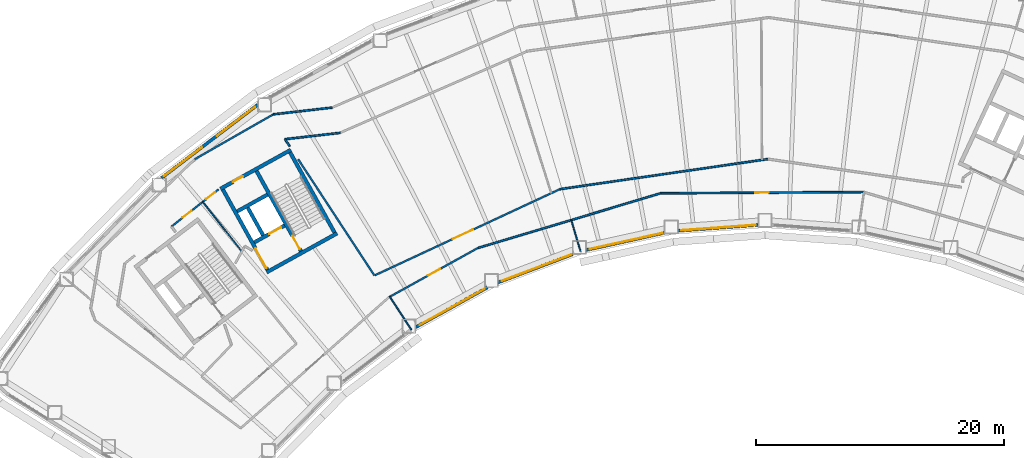
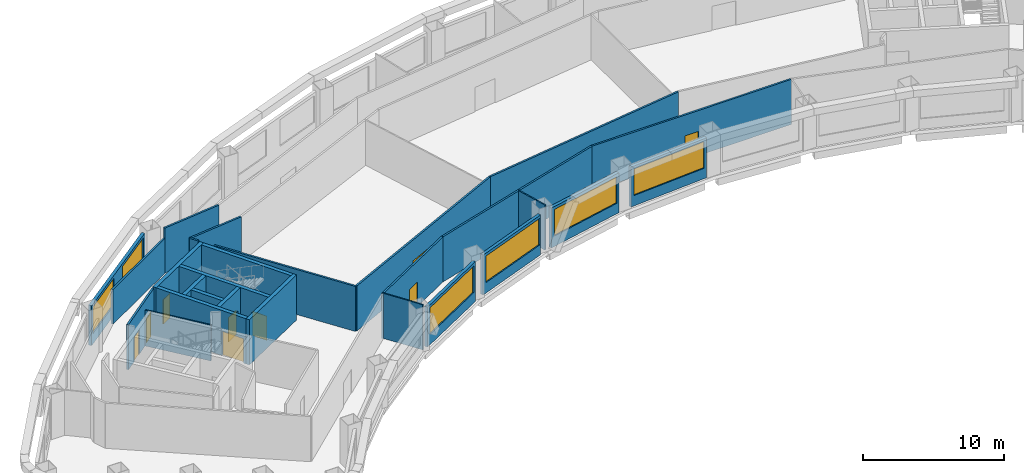
# One storey, part 4 of 12: 27 walls, 9 doors, 6 windows, 15 openings.
"""IFC4 building model written with IfcOpenShell, lengths in metres."""

from ifc_helpers import new_model, si_unit, direction, frame, frame_2d, origin, place, context, subcontext, project, spatial, rectangle, extrude, material, layer, layer_set, type_object, element, fill, save


model = new_model("IFC4")

# Units and contexts
model_context = context("Model", 3, precision=1e-05, world=origin(), true_north=direction((0.0, 1.0)))
body_context = subcontext(model_context, "Body", "Model", "MODEL_VIEW")
ifc_project = project(units=[si_unit("LENGTHUNIT", "METRE"), si_unit("AREAUNIT", "SQUARE_METRE"), si_unit("VOLUMEUNIT", "CUBIC_METRE"), si_unit("PLANEANGLEUNIT", "RADIAN"), si_unit("MASSUNIT", "GRAM", prefix="KILO")], contexts=[model_context])

# Site, building, storey
site_placement = place(None, origin())
site = spatial("IfcSite", under=ifc_project, at=site_placement, CompositionType="ELEMENT")
building_placement = place(site_placement, origin())
building = spatial("IfcBuilding", under=site, at=building_placement, Name="Tuul Gate Civic Tower", CompositionType="ELEMENT")
storey_placement = place(building_placement, frame((0.0, 0.0, 103.5)))
storey = spatial("IfcBuildingStorey", under=building, at=storey_placement, Name="Level 23", CompositionType="ELEMENT", Elevation=103.5)

# Wall
ifc_material_1 = material(Name="Concrete C50/60", Category="concrete")
ifc_layer_1 = layer(ifc_material_1, 0.300048828125)
ifc_layer_set_1 = layer_set([ifc_layer_1], Name="Concrete C50/60")
wall_type_1 = type_object("IfcWallType", Name="Core wall C50/60", PredefinedType="SHEAR", material=ifc_layer_set_1)
wall_1_placement = place(storey_placement, frame((-24.711669921875, -8.7158203125, 0.0), z_axis=(0.0, 0.0, 1.0), x_axis=(-0.874629909008, -0.484791215132, 0.0)))
element("IfcWall", 1, at=wall_1_placement, inside=storey, type_object=wall_type_1, Name="Core wall", PredefinedType="SHEAR", context=body_context, shape_type="SweptSolid", body=[
    extrude(rectangle(XDim=6.5, YDim=0.300048828125, at=frame_2d((3.25, 0.0))), origin(), (0.0, 0.0, 1.0), 3.89990234375),
])

# Wall, opening, door
wall_2_placement = place(storey_placement, frame((-28.94580078125, -8.090087890625, 0.0), z_axis=(0.0, 0.0, 1.0), x_axis=(-0.874629840737, -0.484791338301, 0.0)))
wall_2 = element("IfcWall", 2, at=wall_2_placement, inside=storey, type_object=wall_type_1, Name="Core wall", PredefinedType="SHEAR", context=body_context, shape_type="SweptSolid", body=[
    extrude(rectangle(XDim=2.800048828125, YDim=0.300048828125, at=frame_2d((1.39990234375, 0.0))), origin(), (0.0, 0.0, 1.0), 3.89990234375),
])
opening_1_placement = place(wall_2_placement, frame((0.324951171875, 0.0, 0.0)))
opening_1 = element("IfcOpeningElement", 3, at=opening_1_placement, cuts=wall_2, Name="Opening LD-FF-1", PredefinedType="OPENING", context=body_context, shape_type="SweptSolid", body=[
    extrude(rectangle(XDim=1.10009765625, YDim=2.10009765625, at=frame_2d((0.550048828125, 1.050048828125))), frame((0.0, 0.16015625, 0.0), z_axis=(0.0, -1.0, 0.0), x_axis=(1.0, 0.0, 0.0)), (0.0, 0.0, 1.0), 0.320068359375),
])
ifc_material_2 = material(Name="Stainless steel", Category="steel")
door_type_1 = type_object("IfcDoorType", Name="Landing door", OperationType="DOUBLE_DOOR_SLIDING", PredefinedType="DOOR", material=ifc_material_2)
door_1_placement = place(opening_1_placement, origin())
door_1 = element("IfcDoor", 4, at=door_1_placement, inside=storey, type_object=door_type_1, Name="Fire-fighting lift FF-1 landing door", OperationType="DOUBLE_DOOR_SLIDING", OverallHeight=2.10009765625, OverallWidth=1.10009765625, PredefinedType="DOOR", context=body_context, shape_type="SweptSolid", body=[
    extrude(rectangle(XDim=1.10009765625, YDim=2.10009765625, at=frame_2d((0.550048828125, 1.050048828125))), frame((0.0, 0.02490234375, 0.0), z_axis=(0.0, -1.0, 0.0), x_axis=(1.0, 0.0, 0.0)), (0.0, 0.0, 1.0), 0.050048828125),
])
fill(opening_1, door_1)

# Wall
wall_3_placement = place(storey_placement, frame((-30.327392578125, -5.59716796875, 0.0), z_axis=(0.0, 0.0, 1.0), x_axis=(-0.874629840737, -0.484791338301, 0.0)))
element("IfcWall", 5, at=wall_3_placement, inside=storey, type_object=wall_type_1, Name="Core wall", PredefinedType="SHEAR", context=body_context, shape_type="SweptSolid", body=[
    extrude(rectangle(XDim=2.800048828125, YDim=0.300048828125, at=frame_2d((1.39990234375, 0.0))), origin(), (0.0, 0.0, 1.0), 3.89990234375),
])

# Wall, opening, door
wall_4_placement = place(storey_placement, frame((-28.4443359375, -1.98095703125, 0.0), z_axis=(0.0, 0.0, 1.0), x_axis=(-0.874629909008, -0.484791215132, 0.0)))
wall_4 = element("IfcWall", 6, at=wall_4_placement, inside=storey, type_object=wall_type_1, Name="Core wall", PredefinedType="SHEAR", context=body_context, shape_type="SweptSolid", body=[
    extrude(rectangle(XDim=6.5, YDim=0.300048828125, at=frame_2d((3.25, 0.0))), origin(), (0.0, 0.0, 1.0), 3.89990234375),
])
opening_2_placement = place(wall_4_placement, frame((4.425048828125, 0.0, 0.0)))
opening_2 = element("IfcOpeningElement", 7, at=opening_2_placement, cuts=wall_4, Name="Opening G-D26", PredefinedType="OPENING", context=body_context, shape_type="SweptSolid", body=[
    extrude(rectangle(XDim=0.89990234375, YDim=2.10009765625, at=frame_2d((0.449951171875, 1.050048828125))), frame((0.0, 0.16015625, 0.0), z_axis=(0.0, -1.0, 0.0), x_axis=(1.0, 0.0, 0.0)), (0.0, 0.0, 1.0), 0.320068359375),
])
ifc_material_3 = material(Name="Timber door leaf", Category="wood")
door_type_2 = type_object("IfcDoorType", Name="Door D09", OperationType="NOTDEFINED", PredefinedType="DOOR", material=ifc_material_3)
door_2_placement = place(opening_2_placement, origin())
door_2 = element("IfcDoor", 8, at=door_2_placement, inside=storey, type_object=door_type_2, Name="Door G-D26", OperationType="SINGLE_SWING_LEFT", OverallHeight=2.10009765625, OverallWidth=0.89990234375, PredefinedType="DOOR", context=body_context, shape_type="SweptSolid", body=[
    extrude(rectangle(XDim=0.89990234375, YDim=2.10009765625, at=frame_2d((0.449951171875, 1.050048828125))), frame((0.0, 0.02490234375, 0.0), z_axis=(0.0, -1.0, 0.0), x_axis=(1.0, 0.0, 0.0)), (0.0, 0.0, 1.0), 0.050048828125),
])
fill(opening_2, door_2)

# Wall
wall_5_placement = place(storey_placement, frame((-24.91552734375, -8.6572265625, 0.0), z_axis=(0.0, 0.0, 1.0), x_axis=(-0.484777133038, 0.874637714304, 0.0)))
element("IfcWall", 9, at=wall_5_placement, inside=storey, type_object=wall_type_1, Name="Core wall", PredefinedType="SHEAR", context=body_context, shape_type="SweptSolid", body=[
    extrude(rectangle(XDim=7.400146484375, YDim=0.300048828125, at=frame_2d((3.7001953125, 0.0))), origin(), (0.0, 0.0, 1.0), 3.89990234375),
])

# Wall, opening, door
wall_6_placement = place(storey_placement, frame((-27.626953125, -10.16015625, 0.0), z_axis=(0.0, 0.0, 1.0), x_axis=(-0.484751894226, 0.874651702704, 0.0)))
wall_6 = element("IfcWall", 10, at=wall_6_placement, inside=storey, type_object=wall_type_1, Name="Core wall", PredefinedType="SHEAR", context=body_context, shape_type="SweptSolid", body=[
    extrude(rectangle(XDim=7.39990234375, YDim=0.300048828125, at=frame_2d((3.699951171875, 0.0))), origin(), (0.0, 0.0, 1.0), 3.89990234375),
])
opening_3_placement = place(wall_6_placement, frame((0.199951171875, 0.0, 0.0)))
opening_3 = element("IfcOpeningElement", 11, at=opening_3_placement, cuts=wall_6, Name="Opening SD-ST-2", PredefinedType="OPENING", context=body_context, shape_type="SweptSolid", body=[
    extrude(rectangle(XDim=1.199951171875, YDim=2.10009765625, at=frame_2d((0.60009765625, 1.050048828125))), frame((0.0, 0.16015625, 0.0), z_axis=(0.0, -1.0, 0.0), x_axis=(1.0, 0.0, 0.0)), (0.0, 0.0, 1.0), 0.320068359375),
])
ifc_material_4 = material(Name="Steel", Category="steel")
door_type_3 = type_object("IfcDoorType", Name="Stair door", OperationType="NOTDEFINED", PredefinedType="DOOR", material=ifc_material_4)
door_3_placement = place(opening_3_placement, origin())
door_3 = element("IfcDoor", 12, at=door_3_placement, inside=storey, type_object=door_type_3, Name="Stair door ST-2", OperationType="SINGLE_SWING_LEFT", OverallHeight=2.10009765625, OverallWidth=1.199951171875, PredefinedType="DOOR", context=body_context, shape_type="SweptSolid", body=[
    extrude(rectangle(XDim=1.199951171875, YDim=2.10009765625, at=frame_2d((0.60009765625, 1.050048828125))), frame((0.0, 0.02490234375, 0.0), z_axis=(0.0, -1.0, 0.0), x_axis=(1.0, 0.0, 0.0)), (0.0, 0.0, 1.0), 0.050048828125),
])
fill(opening_3, door_3)

# Wall
wall_7_placement = place(storey_placement, frame((-30.680419921875, -8.8798828125, 0.0), z_axis=(0.0, 0.0, 1.0), x_axis=(-0.484724115216, 0.874667097888, 0.0)))
element("IfcWall", 13, at=wall_7_placement, inside=storey, type_object=wall_type_1, Name="Core wall", PredefinedType="SHEAR", context=body_context, shape_type="SweptSolid", body=[
    extrude(rectangle(XDim=2.550048828125, YDim=0.300048828125, at=frame_2d((1.27490234375, 0.0))), origin(), (0.0, 0.0, 1.0), 3.89990234375),
])

# Wall, opening, door
wall_8_placement = place(storey_placement, frame((-30.33837890625, -11.6630859375, 0.0), z_axis=(0.0, 0.0, 1.0), x_axis=(-0.484751894226, 0.874651702704, 0.0)))
wall_8 = element("IfcWall", 14, at=wall_8_placement, inside=storey, type_object=wall_type_1, Name="Core wall", PredefinedType="SHEAR", context=body_context, shape_type="SweptSolid", body=[
    extrude(rectangle(XDim=7.39990234375, YDim=0.300048828125, at=frame_2d((3.699951171875, 0.0))), origin(), (0.0, 0.0, 1.0), 3.89990234375),
])
opening_4_placement = place(wall_8_placement, frame((0.175048828125, 0.0, 0.0)))
opening_4 = element("IfcOpeningElement", 15, at=opening_4_placement, cuts=wall_8, Name="Opening LB-W2-FLOBBY-1", PredefinedType="OPENING", context=body_context, shape_type="SweptSolid", body=[
    extrude(rectangle(XDim=1.800048828125, YDim=2.10009765625, at=frame_2d((0.89990234375, 1.050048828125))), frame((0.0, 0.16015625, 0.0), z_axis=(0.0, -1.0, 0.0), x_axis=(1.0, 0.0, 0.0)), (0.0, 0.0, 1.0), 0.320068359375),
])
ifc_material_5 = material(Name="Steel", Category="steel")
door_type_4 = type_object("IfcDoorType", Name="Lobby door", OperationType="DOUBLE_DOOR_SINGLE_SWING", PredefinedType="DOOR", material=ifc_material_5)
door_4_placement = place(opening_4_placement, origin())
door_4 = element("IfcDoor", 16, at=door_4_placement, inside=storey, type_object=door_type_4, Name="Lobby door W2-FLOBBY", OperationType="DOUBLE_DOOR_SINGLE_SWING", OverallHeight=2.10009765625, OverallWidth=1.800048828125, PredefinedType="DOOR", context=body_context, shape_type="SweptSolid", body=[
    extrude(rectangle(XDim=1.800048828125, YDim=2.10009765625, at=frame_2d((0.89990234375, 1.050048828125))), frame((0.0, 0.02490234375, 0.0), z_axis=(0.0, -1.0, 0.0), x_axis=(1.0, 0.0, 0.0)), (0.0, 0.0, 1.0), 0.050048828125),
])
fill(opening_4, door_4)

# Wall
ifc_material_6 = material(Name="Gypsum board partition")
ifc_layer_2 = layer(ifc_material_6, 0.14990234375)
ifc_layer_set_2 = layer_set([ifc_layer_2], Name="Gypsum board partition")
wall_type_2 = type_object("IfcWallType", Name="Corridor wall P150", PredefinedType="PARTITIONING", material=ifc_layer_set_2)
wall_9_placement = place(storey_placement, frame((-29.85791015625, 0.8837890625, 0.0), z_axis=(0.0, 0.0, 1.0), x_axis=(0.993420797648, 0.11452125916, 0.0)))
element("IfcWall", 17, at=wall_9_placement, inside=storey, type_object=wall_type_2, Name="p019", PredefinedType="PARTITIONING", context=body_context, shape_type="SweptSolid", body=[
    extrude(rectangle(XDim=4.775390625, YDim=0.14990234375, at=frame_2d((2.3876953125, 0.0))), origin(), (0.0, 0.0, 1.0), 3.89990234375),
])

# Wall, opening, door
wall_10_placement = place(storey_placement, frame((-20.523681640625, -13.8740234375, 0.0), z_axis=(0.0, 0.0, 1.0), x_axis=(0.87496163659, 0.48419224952, 0.0)))
wall_10 = element("IfcWall", 18, at=wall_10_placement, inside=storey, type_object=wall_type_2, Name="p025", PredefinedType="PARTITIONING", context=body_context, shape_type="SweptSolid", body=[
    extrude(rectangle(XDim=8.205810546875, YDim=0.14990234375, at=frame_2d((4.10302734375, 0.0))), origin(), (0.0, 0.0, 1.0), 3.89990234375),
])
opening_5_placement = place(wall_10_placement, frame((3.59326171875, 0.0, 0.0)))
opening_5 = element("IfcOpeningElement", 19, at=opening_5_placement, cuts=wall_10, Name="Opening G-D11", PredefinedType="OPENING", context=body_context, shape_type="SweptSolid", body=[
    extrude(rectangle(XDim=1.10009765625, YDim=2.10009765625, at=frame_2d((0.550048828125, 1.050048828125))), frame((0.0, 0.0849609375, 0.0), z_axis=(0.0, -1.0, 0.0), x_axis=(1.0, 0.0, 0.0)), (0.0, 0.0, 1.0), 0.169921875),
])
ifc_material_7 = material(Name="Timber door leaf", Category="wood")
door_type_5 = type_object("IfcDoorType", Name="Door D11", OperationType="NOTDEFINED", PredefinedType="DOOR", material=ifc_material_7)
door_5_placement = place(opening_5_placement, frame((1.10009765625, 0.0, 0.0), z_axis=(0.0, 0.0, 1.0), x_axis=(-1.0, 0.0, 0.0)))
door_5 = element("IfcDoor", 20, at=door_5_placement, inside=storey, type_object=door_type_5, Name="Door G-D11", OperationType="SINGLE_SWING_LEFT", OverallHeight=2.10009765625, OverallWidth=1.10009765625, PredefinedType="DOOR", context=body_context, shape_type="SweptSolid", body=[
    extrude(rectangle(XDim=1.10009765625, YDim=2.10009765625, at=frame_2d((0.550048828125, 1.050048828125))), frame((0.0, 0.02490234375, 0.0), z_axis=(0.0, -1.0, 0.0), x_axis=(1.0, 0.0, 0.0)), (0.0, 0.0, 1.0), 0.050048828125),
])
fill(opening_5, door_5)

# Wall
wall_11_placement = place(storey_placement, frame((-13.343994140625, -9.90087890625, 0.0), z_axis=(0.0, 0.0, 1.0), x_axis=(0.958028580742, 0.286672702713, 0.0)))
element("IfcWall", 21, at=wall_11_placement, inside=storey, type_object=wall_type_2, Name="p032", PredefinedType="PARTITIONING", context=body_context, shape_type="SweptSolid", body=[
    extrude(rectangle(XDim=15.39404296875, YDim=0.14990234375, at=frame_2d((7.697021484375, 0.0))), origin(), (0.0, 0.0, 1.0), 3.89990234375),
])

# Wall, opening, door
wall_12_placement = place(storey_placement, frame((1.40966796875, -5.487060546875, 0.0), z_axis=(0.0, 0.0, 1.0), x_axis=(0.999981463066, 0.006088803214, 0.0)))
wall_12 = element("IfcWall", 22, at=wall_12_placement, inside=storey, type_object=wall_type_2, Name="p033", PredefinedType="PARTITIONING", context=body_context, shape_type="SweptSolid", body=[
    extrude(rectangle(XDim=16.359375, YDim=0.14990234375, at=frame_2d((8.1796875, 0.0))), origin(), (0.0, 0.0, 1.0), 3.89990234375),
])
opening_6_placement = place(wall_12_placement, frame((7.629638671875, 0.0, 0.0)))
opening_6 = element("IfcOpeningElement", 23, at=opening_6_placement, cuts=wall_12, Name="Opening G-D10", PredefinedType="OPENING", context=body_context, shape_type="SweptSolid", body=[
    extrude(rectangle(XDim=1.10009765625, YDim=2.10009765625, at=frame_2d((0.550048828125, 1.050048828125))), frame((0.0, 0.0849609375, 0.0), z_axis=(0.0, -1.0, 0.0), x_axis=(1.0, 0.0, 0.0)), (0.0, 0.0, 1.0), 0.169921875),
])
door_6_placement = place(opening_6_placement, frame((1.10009765625, 0.0, 0.0), z_axis=(0.0, 0.0, 1.0), x_axis=(-1.0, 0.0, 0.0)))
door_6 = element("IfcDoor", 24, at=door_6_placement, inside=storey, type_object=door_type_5, Name="Door G-D10", OperationType="SINGLE_SWING_LEFT", OverallHeight=2.10009765625, OverallWidth=1.10009765625, PredefinedType="DOOR", context=body_context, shape_type="SweptSolid", body=[
    extrude(rectangle(XDim=1.10009765625, YDim=2.10009765625, at=frame_2d((0.550048828125, 1.050048828125))), frame((0.0, 0.02490234375, 0.0), z_axis=(0.0, -1.0, 0.0), x_axis=(1.0, 0.0, 0.0)), (0.0, 0.0, 1.0), 0.050048828125),
])
fill(opening_6, door_6)

# Wall, openings, doors
wall_13_placement = place(storey_placement, frame((-38.083251953125, -8.17626953125, 0.0), z_axis=(0.0, 0.0, 1.0), x_axis=(0.784779612549, 0.619774926668, 0.0)))
wall_13 = element("IfcWall", 25, at=wall_13_placement, inside=storey, type_object=wall_type_2, Name="p036", PredefinedType="PARTITIONING", context=body_context, shape_type="SweptSolid", body=[
    extrude(rectangle(XDim=4.84716796875, YDim=0.14990234375, at=frame_2d((2.423583984375, 0.0))), origin(), (0.0, 0.0, 1.0), 3.89990234375),
])
opening_7_placement = place(wall_13_placement, frame((1.159912109375, 0.0, 0.0)))
opening_7 = element("IfcOpeningElement", 26, at=opening_7_placement, cuts=wall_13, Name="Opening G-D12", PredefinedType="OPENING", context=body_context, shape_type="SweptSolid", body=[
    extrude(rectangle(XDim=0.89990234375, YDim=2.10009765625, at=frame_2d((0.449951171875, 1.050048828125))), frame((0.0, 0.0849609375, 0.0), z_axis=(0.0, -1.0, 0.0), x_axis=(1.0, 0.0, 0.0)), (0.0, 0.0, 1.0), 0.169921875),
])
opening_8_placement = place(wall_13_placement, frame((3.569091796875, 0.0, 0.0)))
opening_8 = element("IfcOpeningElement", 27, at=opening_8_placement, cuts=wall_13, Name="Opening G-D24", PredefinedType="OPENING", context=body_context, shape_type="SweptSolid", body=[
    extrude(rectangle(XDim=0.89990234375, YDim=2.10009765625, at=frame_2d((0.449951171875, 1.050048828125))), frame((0.0, 0.0849609375, 0.0), z_axis=(0.0, -1.0, 0.0), x_axis=(1.0, 0.0, 0.0)), (0.0, 0.0, 1.0), 0.169921875),
])
door_7_placement = place(opening_7_placement, origin())
door_7 = element("IfcDoor", 28, at=door_7_placement, inside=storey, type_object=door_type_2, Name="Door G-D12", OperationType="SINGLE_SWING_RIGHT", OverallHeight=2.10009765625, OverallWidth=0.89990234375, PredefinedType="DOOR", context=body_context, shape_type="SweptSolid", body=[
    extrude(rectangle(XDim=0.89990234375, YDim=2.10009765625, at=frame_2d((0.449951171875, 1.050048828125))), frame((0.0, 0.02490234375, 0.0), z_axis=(0.0, -1.0, 0.0), x_axis=(1.0, 0.0, 0.0)), (0.0, 0.0, 1.0), 0.050048828125),
])
fill(opening_7, door_7)
door_8_placement = place(opening_8_placement, frame((0.89990234375, 0.0, 0.0), z_axis=(0.0, 0.0, 1.0), x_axis=(-1.0, 0.0, 0.0)))
door_8 = element("IfcDoor", 29, at=door_8_placement, inside=storey, type_object=door_type_2, Name="Door G-D24", OperationType="SINGLE_SWING_RIGHT", OverallHeight=2.10009765625, OverallWidth=0.89990234375, PredefinedType="DOOR", context=body_context, shape_type="SweptSolid", body=[
    extrude(rectangle(XDim=0.89990234375, YDim=2.10009765625, at=frame_2d((0.449951171875, 1.050048828125))), frame((0.0, 0.02490234375, 0.0), z_axis=(0.0, -1.0, 0.0), x_axis=(1.0, 0.0, 0.0)), (0.0, 0.0, 1.0), 0.050048828125),
])
fill(opening_8, door_8)

# Wall
wall_14_placement = place(storey_placement, frame((-6.727783203125, -5.15380859375, 0.0), z_axis=(0.0, 0.0, 1.0), x_axis=(0.989704104378, 0.143128563805, 0.0)))
element("IfcWall", 30, at=wall_14_placement, inside=storey, type_object=wall_type_2, Name="p069", PredefinedType="PARTITIONING", context=body_context, shape_type="SweptSolid", body=[
    extrude(rectangle(XDim=16.9755859375, YDim=0.14990234375, at=frame_2d((8.48779296875, 0.0))), origin(), (0.0, 0.0, 1.0), 3.89990234375),
])

# Wall, opening, door
wall_15_placement = place(storey_placement, frame((-21.67578125, -12.111572265625, 0.0), z_axis=(0.0, 0.0, 1.0), x_axis=(0.906600325939, 0.421990342315, 0.0)))
wall_15 = element("IfcWall", 31, at=wall_15_placement, inside=storey, type_object=wall_type_2, Name="p072", PredefinedType="PARTITIONING", context=body_context, shape_type="SweptSolid", body=[
    extrude(rectangle(XDim=16.488037109375, YDim=0.14990234375, at=frame_2d((8.244140625, 0.0))), origin(), (0.0, 0.0, 1.0), 3.89990234375),
])
opening_9_placement = place(wall_15_placement, frame((6.957763671875, 0.0, 0.0)))
opening_9 = element("IfcOpeningElement", 32, at=opening_9_placement, cuts=wall_15, Name="Opening G-D19", PredefinedType="OPENING", context=body_context, shape_type="SweptSolid", body=[
    extrude(rectangle(XDim=1.800048828125, YDim=2.10009765625, at=frame_2d((0.89990234375, 1.050048828125))), frame((0.0, 0.0849609375, 0.0), z_axis=(0.0, -1.0, 0.0), x_axis=(1.0, 0.0, 0.0)), (0.0, 0.0, 1.0), 0.169921875),
])
ifc_material_8 = material(Name="Timber door leaf, double", Category="wood")
door_type_6 = type_object("IfcDoorType", Name="Door D18", OperationType="DOUBLE_DOOR_SINGLE_SWING", PredefinedType="DOOR", material=ifc_material_8)
door_9_placement = place(opening_9_placement, origin())
door_9 = element("IfcDoor", 33, at=door_9_placement, inside=storey, type_object=door_type_6, Name="Door G-D19", OperationType="DOUBLE_DOOR_SINGLE_SWING", OverallHeight=2.10009765625, OverallWidth=1.800048828125, PredefinedType="DOOR", context=body_context, shape_type="SweptSolid", body=[
    extrude(rectangle(XDim=1.800048828125, YDim=2.10009765625, at=frame_2d((0.89990234375, 1.050048828125))), frame((0.0, 0.02490234375, 0.0), z_axis=(0.0, -1.0, 0.0), x_axis=(1.0, 0.0, 0.0)), (0.0, 0.0, 1.0), 0.050048828125),
])
fill(opening_9, door_9)

# Walls
wall_16_placement = place(storey_placement, frame((-28.912841796875, -1.12109375, 0.0), z_axis=(0.0, 0.0, 1.0), x_axis=(0.548233721812, -0.836325167784, 0.0)))
element("IfcWall", 34, at=wall_16_placement, inside=storey, type_object=wall_type_2, Name="p073", PredefinedType="PARTITIONING", context=body_context, shape_type="SweptSolid", body=[
    extrude(rectangle(XDim=0.681396484375, YDim=0.14990234375, at=frame_2d((0.3408203125, 0.0))), origin(), (0.0, 0.0, 1.0), 3.89990234375),
])
wall_17_placement = place(storey_placement, frame((-27.85595703125, -2.7333984375, 0.0), z_axis=(0.0, 0.0, 1.0), x_axis=(0.548305144372, -0.836278344007, 0.0)))
element("IfcWall", 35, at=wall_17_placement, inside=storey, type_object=wall_type_2, Name="p074", PredefinedType="PARTITIONING", context=body_context, shape_type="SweptSolid", body=[
    extrude(rectangle(XDim=11.23486328125, YDim=0.14990234375, at=frame_2d((5.617431640625, 0.0))), origin(), (0.0, 0.0, 1.0), 3.89990234375),
])
wall_18_placement = place(storey_placement, frame((-28.912841796875, -1.12109375, 0.0), z_axis=(0.0, 0.0, 1.0), x_axis=(0.993432798805, 0.114417106494, 0.0)))
element("IfcWall", 36, at=wall_18_placement, inside=storey, type_object=wall_type_2, Name="p075", PredefinedType="PARTITIONING", context=body_context, shape_type="SweptSolid", body=[
    extrude(rectangle(XDim=4.4765625, YDim=0.14990234375, at=frame_2d((2.23828125, 0.0))), origin(), (0.0, 0.0, 1.0), 3.89990234375),
])
ifc_material_9 = material(Name="Gypsum board partition")
ifc_layer_3 = layer(ifc_material_9, 0.14990234375)
ifc_layer_set_3 = layer_set([ifc_layer_3], Name="Gypsum board partition")
wall_type_3 = type_object("IfcWallType", Name="Corridor wall P150 3000 HIGH", PredefinedType="PARTITIONING", material=ifc_layer_set_3)
wall_19_placement = place(storey_placement, frame((-36.208251953125, -2.74169921875, 0.0), z_axis=(0.0, 0.0, 1.0), x_axis=(0.868436208841, 0.495800918892, 0.0)))
element("IfcWall", 37, at=wall_19_placement, inside=storey, type_object=wall_type_3, Name="p020", PredefinedType="PARTITIONING", context=body_context, shape_type="SweptSolid", body=[
    extrude(rectangle(XDim=7.3125, YDim=0.14990234375, at=frame_2d((3.65625, 0.0))), origin(), (0.0, 0.0, 1.0), 3.0),
])

# Wall, openings, windows
ifc_material_10 = material(Name="Precast concrete C40/50", Category="concrete")
ifc_layer_4 = layer(ifc_material_10, 0.25)
ifc_layer_set_4 = layer_set([ifc_layer_4], Name="Precast concrete C40/50")
wall_type_4 = type_object("IfcWallType", Name="External wall", PredefinedType="STANDARD", material=ifc_layer_set_4)
wall_20_placement = place(storey_placement, frame((-31.1240234375, 1.6533203125, 0.0), z_axis=(0.0, 0.0, 1.0), x_axis=(-0.795622492649, -0.605792744419, 0.0)))
wall_20 = element("IfcWall", 38, at=wall_20_placement, inside=storey, type_object=wall_type_4, Name="External wall", PredefinedType="STANDARD", context=body_context, shape_type="SweptSolid", body=[
    extrude(rectangle(XDim=9.751220703125, YDim=0.25, at=frame_2d((4.87548828125, 0.0))), origin(), (0.0, 0.0, 1.0), 3.449951171875),
])
opening_10_placement = place(wall_20_placement, frame((0.283447265625, 0.0, 0.89990234375)))
opening_10 = element("IfcOpeningElement", 39, at=opening_10_placement, cuts=wall_20, Name="Opening W22", PredefinedType="OPENING", context=body_context, shape_type="SweptSolid", body=[
    extrude(rectangle(XDim=3.85009765625, YDim=2.300048828125, at=frame_2d((1.925048828125, 1.14990234375))), frame((0.0, 0.135009765625, 0.0), z_axis=(0.0, -1.0, 0.0), x_axis=(1.0, 0.0, 0.0)), (0.0, 0.0, 1.0), 0.27001953125),
])
opening_11_placement = place(wall_20_placement, frame((5.65478515625, 0.0, 0.89990234375)))
opening_11 = element("IfcOpeningElement", 40, at=opening_11_placement, cuts=wall_20, Name="Opening W22", PredefinedType="OPENING", context=body_context, shape_type="SweptSolid", body=[
    extrude(rectangle(XDim=3.85009765625, YDim=2.300048828125, at=frame_2d((1.925048828125, 1.14990234375))), frame((0.0, 0.135009765625, 0.0), z_axis=(0.0, -1.0, 0.0), x_axis=(1.0, 0.0, 0.0)), (0.0, 0.0, 1.0), 0.27001953125),
])
ifc_material_11 = material(Name="Glass", Category="glass")
window_type_1 = type_object("IfcWindowType", Name="Window W22 3850 x 2300", PartitioningType="SINGLE_PANEL", PredefinedType="WINDOW", material=ifc_material_11)
window_1_placement = place(opening_10_placement, origin())
window_1 = element("IfcWindow", 41, at=window_1_placement, inside=storey, type_object=window_type_1, Name="Window", OverallHeight=2.300048828125, OverallWidth=3.85009765625, PartitioningType="SINGLE_PANEL", PredefinedType="WINDOW", context=body_context, shape_type="SweptSolid", body=[
    extrude(rectangle(XDim=3.85009765625, YDim=2.300048828125, at=frame_2d((1.925048828125, 1.14990234375))), frame((0.0, 0.030029296875, 0.0), z_axis=(0.0, -1.0, 0.0), x_axis=(1.0, 0.0, 0.0)), (0.0, 0.0, 1.0), 0.06005859375),
])
fill(opening_10, window_1)
window_2_placement = place(opening_11_placement, origin())
window_2 = element("IfcWindow", 42, at=window_2_placement, inside=storey, type_object=window_type_1, Name="Window", OverallHeight=2.300048828125, OverallWidth=3.85009765625, PartitioningType="SINGLE_PANEL", PredefinedType="WINDOW", context=body_context, shape_type="SweptSolid", body=[
    extrude(rectangle(XDim=3.85009765625, YDim=2.300048828125, at=frame_2d((1.925048828125, 1.14990234375))), frame((0.0, 0.030029296875, 0.0), z_axis=(0.0, -1.0, 0.0), x_axis=(1.0, 0.0, 0.0)), (0.0, 0.0, 1.0), 0.06005859375),
])
fill(opening_11, window_2)

# Wall, opening, window
wall_21_placement = place(storey_placement, frame((-18.347900390625, -16.2841796875, 0.0), z_axis=(0.0, 0.0, 1.0), x_axis=(0.874603961928, 0.484838024272, 0.0)))
wall_21 = element("IfcWall", 43, at=wall_21_placement, inside=storey, type_object=wall_type_4, Name="External wall", PredefinedType="STANDARD", context=body_context, shape_type="SweptSolid", body=[
    extrude(rectangle(XDim=6.594482421875, YDim=0.25, at=frame_2d((3.29736328125, 0.0))), origin(), (0.0, 0.0, 1.0), 3.449951171875),
])
opening_12_placement = place(wall_21_placement, frame((0.34765625, 0.0, 0.89990234375)))
opening_12 = element("IfcOpeningElement", 44, at=opening_12_placement, cuts=wall_21, Name="Opening W26", PredefinedType="OPENING", context=body_context, shape_type="SweptSolid", body=[
    extrude(rectangle(XDim=6.0, YDim=2.300048828125, at=frame_2d((3.0, 1.14990234375))), frame((0.0, 0.135009765625, 0.0), z_axis=(0.0, -1.0, 0.0), x_axis=(1.0, 0.0, 0.0)), (0.0, 0.0, 1.0), 0.27001953125),
])
ifc_material_12 = material(Name="Glass", Category="glass")
window_type_2 = type_object("IfcWindowType", Name="Window W26 6000 x 2300", PartitioningType="SINGLE_PANEL", PredefinedType="WINDOW", material=ifc_material_12)
window_3_placement = place(opening_12_placement, origin())
window_3 = element("IfcWindow", 45, at=window_3_placement, inside=storey, type_object=window_type_2, Name="Window", OverallHeight=2.300048828125, OverallWidth=6.0, PartitioningType="SINGLE_PANEL", PredefinedType="WINDOW", context=body_context, shape_type="SweptSolid", body=[
    extrude(rectangle(XDim=6.0, YDim=2.300048828125, at=frame_2d((3.0, 1.14990234375))), frame((0.0, 0.030029296875, 0.0), z_axis=(0.0, -1.0, 0.0), x_axis=(1.0, 0.0, 0.0)), (0.0, 0.0, 1.0), 0.06005859375),
])
fill(opening_12, window_3)

wall_22_placement = place(storey_placement, frame((-11.7080078125, -12.67626953125, 0.0), z_axis=(0.0, 0.0, 1.0), x_axis=(0.935366053459, 0.353681136106, 0.0)))
wall_22 = element("IfcWall", 46, at=wall_22_placement, inside=storey, type_object=wall_type_4, Name="External wall", PredefinedType="STANDARD", context=body_context, shape_type="SweptSolid", body=[
    extrude(rectangle(XDim=6.429931640625, YDim=0.25, at=frame_2d((3.21484375, 0.0))), origin(), (0.0, 0.0, 1.0), 3.449951171875),
])
opening_13_placement = place(wall_22_placement, frame((0.3310546875, 0.0, 0.89990234375)))
opening_13 = element("IfcOpeningElement", 47, at=opening_13_placement, cuts=wall_22, Name="Opening W26", PredefinedType="OPENING", context=body_context, shape_type="SweptSolid", body=[
    extrude(rectangle(XDim=6.0, YDim=2.300048828125, at=frame_2d((3.0, 1.14990234375))), frame((0.0, 0.135009765625, 0.0), z_axis=(0.0, -1.0, 0.0), x_axis=(1.0, 0.0, 0.0)), (0.0, 0.0, 1.0), 0.27001953125),
])
window_4_placement = place(opening_13_placement, origin())
window_4 = element("IfcWindow", 48, at=window_4_placement, inside=storey, type_object=window_type_2, Name="Window", OverallHeight=2.300048828125, OverallWidth=6.0, PartitioningType="SINGLE_PANEL", PredefinedType="WINDOW", context=body_context, shape_type="SweptSolid", body=[
    extrude(rectangle(XDim=6.0, YDim=2.300048828125, at=frame_2d((3.0, 1.14990234375))), frame((0.0, 0.030029296875, 0.0), z_axis=(0.0, -1.0, 0.0), x_axis=(1.0, 0.0, 0.0)), (0.0, 0.0, 1.0), 0.06005859375),
])
fill(opening_13, window_4)

wall_23_placement = place(storey_placement, frame((-4.60693359375, -10.063232421875, 0.0), z_axis=(0.0, 0.0, 1.0), x_axis=(0.976562304854, 0.215234905949, 0.0)))
wall_23 = element("IfcWall", 49, at=wall_23_placement, inside=storey, type_object=wall_type_4, Name="External wall", PredefinedType="STANDARD", context=body_context, shape_type="SweptSolid", body=[
    extrude(rectangle(XDim=6.465576171875, YDim=0.25, at=frame_2d((3.23291015625, 0.0))), origin(), (0.0, 0.0, 1.0), 3.449951171875),
])
opening_14_placement = place(wall_23_placement, frame((0.304443359375, 0.0, 0.89990234375)))
opening_14 = element("IfcOpeningElement", 50, at=opening_14_placement, cuts=wall_23, Name="Opening W26", PredefinedType="OPENING", context=body_context, shape_type="SweptSolid", body=[
    extrude(rectangle(XDim=6.0, YDim=2.300048828125, at=frame_2d((3.0, 1.14990234375))), frame((0.0, 0.135009765625, 0.0), z_axis=(0.0, -1.0, 0.0), x_axis=(1.0, 0.0, 0.0)), (0.0, 0.0, 1.0), 0.27001953125),
])
window_5_placement = place(opening_14_placement, origin())
window_5 = element("IfcWindow", 51, at=window_5_placement, inside=storey, type_object=window_type_2, Name="Window", OverallHeight=2.300048828125, OverallWidth=6.0, PartitioningType="SINGLE_PANEL", PredefinedType="WINDOW", context=body_context, shape_type="SweptSolid", body=[
    extrude(rectangle(XDim=6.0, YDim=2.300048828125, at=frame_2d((3.0, 1.14990234375))), frame((0.0, 0.030029296875, 0.0), z_axis=(0.0, -1.0, 0.0), x_axis=(1.0, 0.0, 0.0)), (0.0, 0.0, 1.0), 0.06005859375),
])
fill(opening_14, window_5)

wall_24_placement = place(storey_placement, frame((2.806884765625, -8.503662109375, 0.0), z_axis=(0.0, 0.0, 1.0), x_axis=(0.997392965156, 0.072161437464, 0.0)))
wall_24 = element("IfcWall", 52, at=wall_24_placement, inside=storey, type_object=wall_type_4, Name="External wall", PredefinedType="STANDARD", context=body_context, shape_type="SweptSolid", body=[
    extrude(rectangle(XDim=6.489013671875, YDim=0.25, at=frame_2d((3.24462890625, 0.0))), origin(), (0.0, 0.0, 1.0), 3.449951171875),
])
opening_15_placement = place(wall_24_placement, frame((0.26806640625, 0.0, 0.89990234375)))
opening_15 = element("IfcOpeningElement", 53, at=opening_15_placement, cuts=wall_24, Name="Opening W26", PredefinedType="OPENING", context=body_context, shape_type="SweptSolid", body=[
    extrude(rectangle(XDim=6.0, YDim=2.300048828125, at=frame_2d((3.0, 1.14990234375))), frame((0.0, 0.135009765625, 0.0), z_axis=(0.0, -1.0, 0.0), x_axis=(1.0, 0.0, 0.0)), (0.0, 0.0, 1.0), 0.27001953125),
])
window_6_placement = place(opening_15_placement, origin())
window_6 = element("IfcWindow", 54, at=window_6_placement, inside=storey, type_object=window_type_2, Name="Window", OverallHeight=2.300048828125, OverallWidth=6.0, PartitioningType="SINGLE_PANEL", PredefinedType="WINDOW", context=body_context, shape_type="SweptSolid", body=[
    extrude(rectangle(XDim=6.0, YDim=2.300048828125, at=frame_2d((3.0, 1.14990234375))), frame((0.0, 0.030029296875, 0.0), z_axis=(0.0, -1.0, 0.0), x_axis=(1.0, 0.0, 0.0)), (0.0, 0.0, 1.0), 0.06005859375),
])
fill(opening_15, window_6)

# Walls
ifc_material_13 = material(Name="Gypsum board partition")
ifc_layer_5 = layer(ifc_material_13, 0.10009765625)
ifc_layer_set_5 = layer_set([ifc_layer_5], Name="Gypsum board partition")
wall_type_5 = type_object("IfcWallType", Name="Partition P100", PredefinedType="PARTITIONING", material=ifc_layer_set_5)
wall_25_placement = place(storey_placement, frame((-20.453369140625, -13.835205078125, 0.0), z_axis=(0.0, 0.0, 1.0), x_axis=(0.546727310545, -0.837310723629, 0.0)))
element("IfcWall", 55, at=wall_25_placement, inside=storey, type_object=wall_type_5, Name="p022", PredefinedType="PARTITIONING", context=body_context, shape_type="SweptSolid", body=[
    extrude(rectangle(XDim=3.17578125, YDim=0.10009765625, at=frame_2d((1.587890625, 0.0))), origin(), (0.0, 0.0, 1.0), 3.89990234375),
])
wall_26_placement = place(storey_placement, frame((-5.81298828125, -7.6474609375, 0.0), z_axis=(0.0, 0.0, 1.0), x_axis=(0.285295208173, -0.958439692518, 0.0)))
element("IfcWall", 56, at=wall_26_placement, inside=storey, type_object=wall_type_5, Name="p031", PredefinedType="PARTITIONING", context=body_context, shape_type="SweptSolid", body=[
    extrude(rectangle(XDim=2.630615234375, YDim=0.10009765625, at=frame_2d((1.3154296875, 0.0))), origin(), (0.0, 0.0, 1.0), 3.89990234375),
])
ifc_material_14 = material(Name="Gypsum board partition")
ifc_layer_6 = layer(ifc_material_14, 0.10009765625)
ifc_layer_set_6 = layer_set([ifc_layer_6], Name="Gypsum board partition")
wall_type_6 = type_object("IfcWallType", Name="Partition P100 3100 HIGH", PredefinedType="PARTITIONING", material=ifc_layer_set_6)
wall_27_placement = place(storey_placement, frame((-35.556396484375, -6.1806640625, 0.0), z_axis=(0.0, 0.0, 1.0), x_axis=(0.619785664408, -0.784771132365, 0.0)))
element("IfcWall", 57, at=wall_27_placement, inside=storey, type_object=wall_type_6, Name="p038", PredefinedType="PARTITIONING", context=body_context, shape_type="SweptSolid", body=[
    extrude(rectangle(XDim=5.094970703125, YDim=0.10009765625, at=frame_2d((2.54736328125, 0.0))), origin(), (0.0, 0.0, 1.0), 3.10009765625),
])

save(model, "model.ifc")
